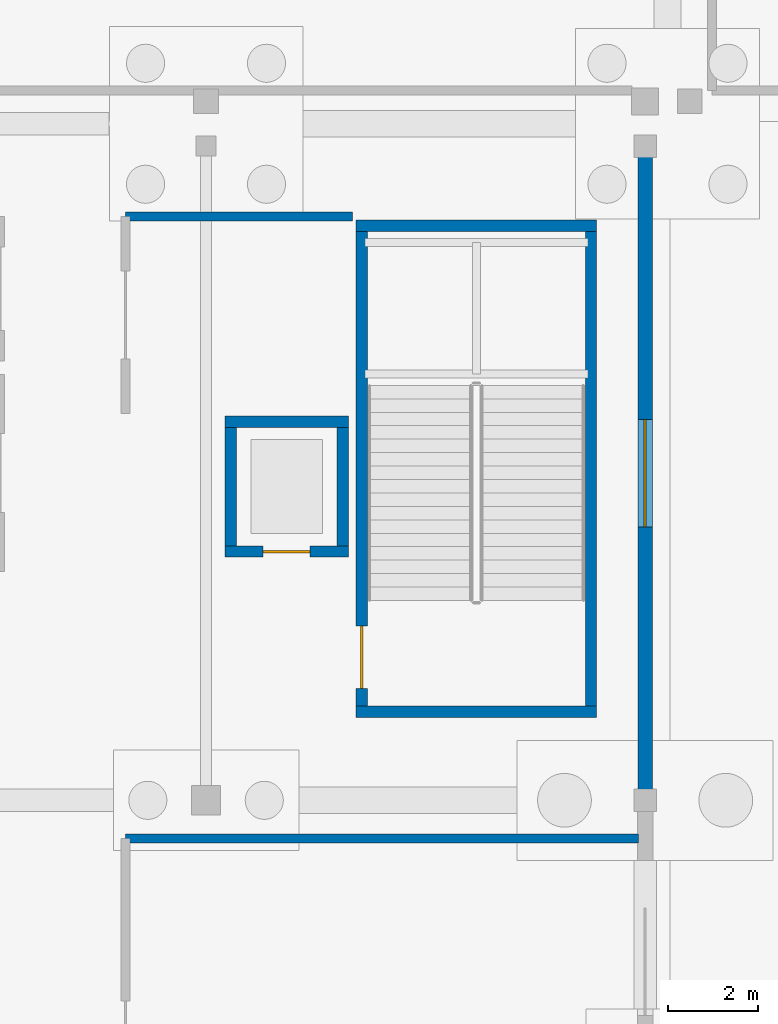
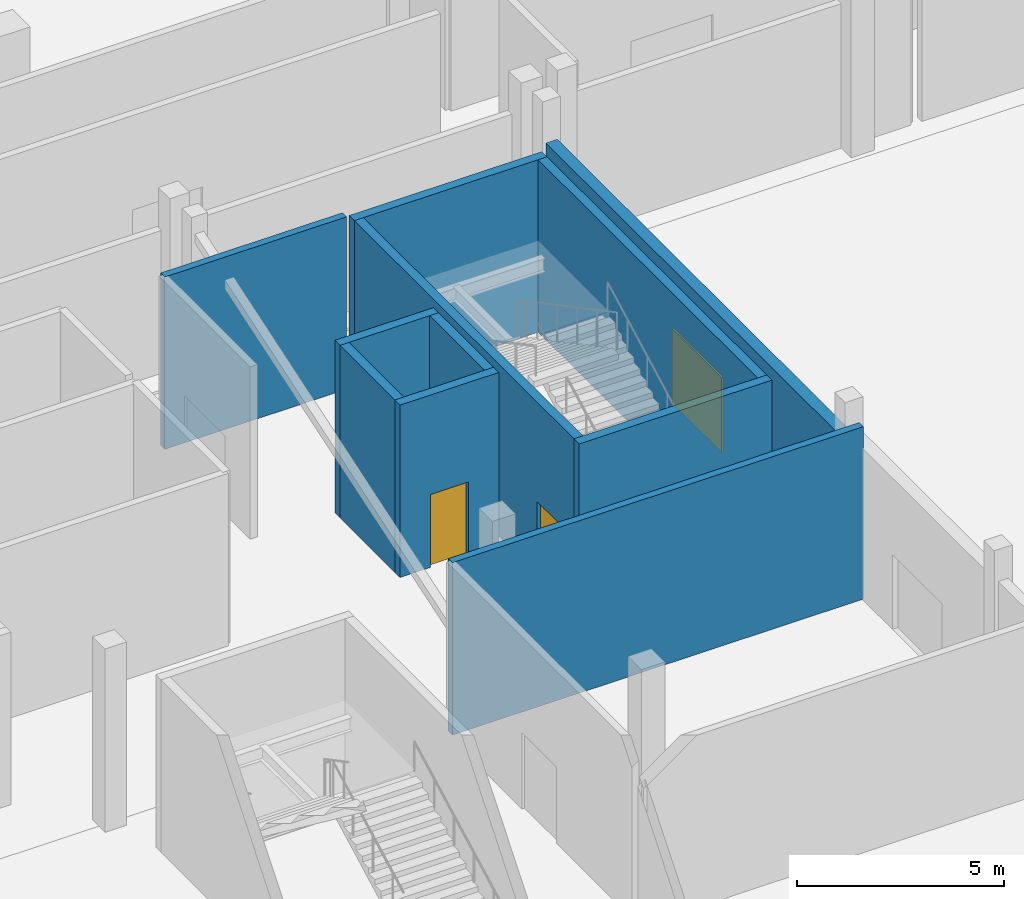
# One storey, part 45 of 89: 11 walls, 3 doors, 3 openings.
"""IFC4 building model written with IfcOpenShell, lengths in metres."""

from ifc_helpers import new_model, si_unit, direction, frame, frame_2d, origin, place, context, subcontext, project, spatial, rectangle, extrude, material, layer, layer_set, type_object, element, fill, save


model = new_model("IFC4")

# Units and contexts
model_context = context("Model", 3, precision=1e-05, world=origin(), true_north=direction((0.0, 1.0)))
body_context = subcontext(model_context, "Body", "Model", "MODEL_VIEW")
ifc_project = project(units=[si_unit("LENGTHUNIT", "METRE"), si_unit("AREAUNIT", "SQUARE_METRE"), si_unit("VOLUMEUNIT", "CUBIC_METRE"), si_unit("PLANEANGLEUNIT", "RADIAN"), si_unit("MASSUNIT", "GRAM", prefix="KILO")], contexts=[model_context])

# Site, building, storey
site_placement = place(None, origin())
site = spatial("IfcSite", under=ifc_project, at=site_placement, CompositionType="ELEMENT")
building_placement = place(site_placement, origin())
building = spatial("IfcBuilding", under=site, at=building_placement, Name="Koshinbarg Plaza Stadium", CompositionType="ELEMENT")
storey_placement = place(building_placement, origin())
storey = spatial("IfcBuildingStorey", under=building, at=storey_placement, Name="L00", CompositionType="ELEMENT", Elevation=0.0)

# Walls
ifc_material_1 = material(Name="Concrete C40/50", Category="concrete")
ifc_layer_1 = layer(ifc_material_1, 0.25)
ifc_layer_set_1 = layer_set([ifc_layer_1], Name="Concrete C40/50")
wall_type_1 = type_object("IfcWallType", Name="WL-CORE-250", PredefinedType="SHEAR", material=ifc_layer_set_1)
for number, where, z_axis, x_axis, name in (
    (1, (211.949951171875, 113.875, 0.0), (0.0, 0.0, 1.0), (1.0, 0.0, 0.0), "L00 core stair shear wall C10-near IWL-L00-0234"),
    (2, (217.320068359375, 124.72509765625, 0.0), (0.0, 0.0, 1.0), (-1.0, 0.0, 0.0), "L00 core stair shear wall C10-far IWL-L00-0235"),
):
    element("IfcWall", number, at=place(storey_placement, frame(where, z_axis=z_axis, x_axis=x_axis)), inside=storey, type_object=wall_type_1, Name=name, PredefinedType="SHEAR", context=body_context, shape_type="SweptSolid", body=[
        extrude(rectangle(XDim=5.3701171875, YDim=0.25, at=frame_2d((2.68505859375, 0.0))), origin(), (0.0, 0.0, 1.0), 5.080078125),
    ])

# Wall, opening, door
wall_1_placement = place(storey_placement, frame((212.074951171875, 113.875, 0.0), z_axis=(0.0, 0.0, 1.0), x_axis=(0.0, 1.0, 0.0)))
wall_1 = element("IfcWall", 3, at=wall_1_placement, inside=storey, type_object=wall_type_1, Name="L00 core stair shear wall C10-left IWL-L00-0236", PredefinedType="SHEAR", context=body_context, shape_type="SweptSolid", body=[
    extrude(rectangle(XDim=10.85009765625, YDim=0.25, at=frame_2d((5.425048828125, 0.0))), origin(), (0.0, 0.0, 1.0), 5.080078125),
])
opening_1_placement = place(wall_1_placement, frame((0.52001953125, 0.0, 0.0)))
opening_1 = element("IfcOpeningElement", 4, at=opening_1_placement, cuts=wall_1, Name="Opening D-0121", PredefinedType="OPENING", context=body_context, shape_type="SweptSolid", body=[
    extrude(rectangle(XDim=1.39990234375, YDim=2.14990234375, at=frame_2d((0.699951171875, 1.074951171875))), frame((0.0, 0.135009765625, 0.0), z_axis=(0.0, -1.0, 0.0), x_axis=(1.0, 0.0, 0.0)), (0.0, 0.0, 1.0), 0.27001953125),
])
ifc_material_2 = material(Name="Painted galvanized steel fire door", Category="steel")
door_type_1 = type_object("IfcDoorType", Name="DR-STAIR-1400", OperationType="NOTDEFINED", PredefinedType="DOOR", material=ifc_material_2)
door_1_placement = place(opening_1_placement, origin())
door_1 = element("IfcDoor", 5, at=door_1_placement, inside=storey, type_object=door_type_1, Name="L00 exit stair door C10", OperationType="SINGLE_SWING_LEFT", OverallHeight=2.14990234375, OverallWidth=1.39990234375, PredefinedType="DOOR", context=body_context, shape_type="SweptSolid", body=[
    extrude(rectangle(XDim=1.39990234375, YDim=2.14990234375, at=frame_2d((0.699951171875, 1.074951171875))), frame((0.0, 0.02490234375, 0.0), z_axis=(0.0, -1.0, 0.0), x_axis=(1.0, 0.0, 0.0)), (0.0, 0.0, 1.0), 0.050048828125),
])
fill(opening_1, door_1)

# Wall
wall_2_placement = place(storey_placement, frame((217.195068359375, 113.875, 0.0), z_axis=(0.0, 0.0, 1.0), x_axis=(0.0, 1.0, 0.0)))
element("IfcWall", 6, at=wall_2_placement, inside=storey, type_object=wall_type_1, Name="L00 core stair shear wall C10-right IWL-L00-0237", PredefinedType="SHEAR", context=body_context, shape_type="SweptSolid", body=[
    extrude(rectangle(XDim=10.85009765625, YDim=0.25, at=frame_2d((5.425048828125, 0.0))), origin(), (0.0, 0.0, 1.0), 5.080078125),
])

# Wall, opening, door
wall_3_placement = place(storey_placement, frame((209.02490234375, 117.449951171875, 0.0), z_axis=(0.0, 0.0, 1.0), x_axis=(1.0, 0.0, 0.0)))
wall_3 = element("IfcWall", 7, at=wall_3_placement, inside=storey, type_object=wall_type_1, Name="L00 lift shaft shear wall LP06-S IWL-L00-0934", PredefinedType="SHEAR", context=body_context, shape_type="SweptSolid", body=[
    extrude(rectangle(XDim=2.75, YDim=0.25, at=frame_2d((1.375, 0.0))), origin(), (0.0, 0.0, 1.0), 5.080078125),
])
opening_2_placement = place(wall_3_placement, frame((0.85009765625, 0.0, 0.0)))
opening_2 = element("IfcOpeningElement", 8, at=opening_2_placement, cuts=wall_3, Name="Opening D-0303", PredefinedType="OPENING", context=body_context, shape_type="SweptSolid", body=[
    extrude(rectangle(XDim=1.050048828125, YDim=2.14990234375, at=frame_2d((0.52490234375, 1.074951171875))), frame((0.0, 0.135009765625, 0.0), z_axis=(0.0, -1.0, 0.0), x_axis=(1.0, 0.0, 0.0)), (0.0, 0.0, 1.0), 0.27001953125),
])
ifc_material_3 = material(Name="Brushed stainless steel sliding lift landing door", Category="steel")
door_type_2 = type_object("IfcDoorType", Name="DR-LIFT-1050", OperationType="NOTDEFINED", PredefinedType="DOOR", material=ifc_material_3)
door_2_placement = place(opening_2_placement, origin())
door_2 = element("IfcDoor", 9, at=door_2_placement, inside=storey, type_object=door_type_2, Name="L00 lift landing door LP06", OperationType="SLIDING_TO_LEFT", OverallHeight=2.14990234375, OverallWidth=1.050048828125, PredefinedType="DOOR", context=body_context, shape_type="SweptSolid", body=[
    extrude(rectangle(XDim=1.050048828125, YDim=2.14990234375, at=frame_2d((0.52490234375, 1.074951171875))), frame((0.0, 0.02490234375, 0.0), z_axis=(0.0, -1.0, 0.0), x_axis=(1.0, 0.0, 0.0)), (0.0, 0.0, 1.0), 0.050048828125),
])
fill(opening_2, door_2)

# Walls
wall_4_placement = place(storey_placement, frame((211.77490234375, 120.35009765625, 0.0), z_axis=(0.0, 0.0, 1.0), x_axis=(-1.0, 0.0, 0.0)))
element("IfcWall", 10, at=wall_4_placement, inside=storey, type_object=wall_type_1, Name="L00 lift shaft shear wall LP06-N IWL-L00-0935", PredefinedType="SHEAR", context=body_context, shape_type="SweptSolid", body=[
    extrude(rectangle(XDim=2.75, YDim=0.25, at=frame_2d((1.375, 0.0))), origin(), (0.0, 0.0, 1.0), 5.080078125),
])
for number, where, z_axis, x_axis, name in (
    (11, (209.14990234375, 120.35009765625, 0.0), (0.0, 0.0, 1.0), (0.0, -1.0, 0.0), "L00 lift shaft shear wall LP06-W IWL-L00-0936"),
    (12, (211.64990234375, 117.449951171875, 0.0), (0.0, 0.0, 1.0), (0.0, 1.0, 0.0), "L00 lift shaft shear wall LP06-E IWL-L00-0937"),
):
    element("IfcWall", number, at=place(storey_placement, frame(where, z_axis=z_axis, x_axis=x_axis)), inside=storey, type_object=wall_type_1, Name=name, PredefinedType="SHEAR", context=body_context, shape_type="SweptSolid", body=[
        extrude(rectangle(XDim=2.900146484375, YDim=0.25, at=frame_2d((1.4501953125, 0.0))), origin(), (0.0, 0.0, 1.0), 5.080078125),
    ])

# Wall, opening, door
ifc_material_4 = material(Name="Ultramarine-blue pigmented mineral plaster facade wall", Category="masonry")
ifc_layer_2 = layer(ifc_material_4, 0.320068359375)
ifc_layer_set_2 = layer_set([ifc_layer_2], Name="Ultramarine-blue pigmented mineral plaster facade wall")
wall_type_2 = type_object("IfcWallType", Name="WL-EXT-320", PredefinedType="SOLIDWALL", material=ifc_layer_set_2)
wall_5_placement = place(storey_placement, frame((218.39990234375, 126.2548828125, 0.0), z_axis=(0.0, 0.0, 1.0), x_axis=(0.0, -1.0, 0.0)))
wall_5 = element("IfcWall", 13, at=wall_5_placement, inside=storey, type_object=wall_type_2, Name="L00 exterior envelope wall EWL-L00-0038", PredefinedType="SOLIDWALL", context=body_context, shape_type="SweptSolid", body=[
    extrude(rectangle(XDim=14.10986328125, YDim=0.320068359375, at=frame_2d((7.054931640625, 0.0))), origin(), (0.0, 0.0, 1.0), 4.159912109375),
])
opening_3_placement = place(wall_5_placement, frame((5.85498046875, 0.0, 0.0)))
opening_3 = element("IfcOpeningElement", 14, at=opening_3_placement, cuts=wall_5, Name="Opening D-0039", PredefinedType="OPENING", context=body_context, shape_type="SweptSolid", body=[
    extrude(rectangle(XDim=2.39990234375, YDim=2.199951171875, at=frame_2d((1.199951171875, 1.10009765625))), frame((0.0, 0.169921875, 0.0), z_axis=(0.0, -1.0, 0.0), x_axis=(1.0, 0.0, 0.0)), (0.0, 0.0, 1.0), 0.340087890625),
])
ifc_material_5 = material(Name="Anodised aluminium thermally broken exit door", Category="aluminium")
door_type_3 = type_object("IfcDoorType", Name="DR-EXIT-2400", OperationType="NOTDEFINED", PredefinedType="DOOR", material=ifc_material_5)
door_3_placement = place(opening_3_placement, origin())
door_3 = element("IfcDoor", 15, at=door_3_placement, inside=storey, type_object=door_type_3, Name="Main exit E38", OperationType="DOUBLE_DOOR_SINGLE_SWING", OverallHeight=2.199951171875, OverallWidth=2.39990234375, PredefinedType="DOOR", context=body_context, shape_type="SweptSolid", body=[
    extrude(rectangle(XDim=2.39990234375, YDim=2.199951171875, at=frame_2d((1.199951171875, 1.10009765625))), frame((0.0, 0.02490234375, 0.0), z_axis=(0.0, -1.0, 0.0), x_axis=(1.0, 0.0, 0.0)), (0.0, 0.0, 1.0), 0.050048828125),
])
fill(opening_3, door_3)

# Walls
ifc_material_6 = material(Name="Autoclaved aerated blockwork fire partition", Category="masonry")
ifc_layer_3 = layer(ifc_material_6, 0.199951171875)
ifc_layer_set_3 = layer_set([ifc_layer_3], Name="Autoclaved aerated blockwork fire partition")
wall_type_3 = type_object("IfcWallType", Name="WL-PART-200", PredefinedType="PARTITIONING", material=ifc_layer_set_3)
wall_6_placement = place(storey_placement, frame((218.2548828125, 111.050048828125, 0.0), z_axis=(0.0, 0.0, 1.0), x_axis=(-1.0, 0.0, 0.0)))
element("IfcWall", 16, at=wall_6_placement, inside=storey, type_object=wall_type_3, Name="L00 interior partition L00-108-north IWL-L00-1163", PredefinedType="PARTITIONING", context=body_context, shape_type="SweptSolid", body=[
    extrude(rectangle(XDim=11.454833984375, YDim=0.199951171875, at=frame_2d((5.7275390625, 0.0))), origin(), (0.0, 0.0, 1.0), 5.080078125),
])
wall_7_placement = place(storey_placement, frame((211.8701171875, 124.929931640625, 0.0), z_axis=(0.0, 0.0, 1.0), x_axis=(-1.0, 0.0, 0.0)))
element("IfcWall", 17, at=wall_7_placement, inside=storey, type_object=wall_type_3, Name="L00 interior partition L00-111-north IWL-L00-1170", PredefinedType="PARTITIONING", context=body_context, shape_type="SweptSolid", body=[
    extrude(rectangle(XDim=5.070068359375, YDim=0.199951171875, at=frame_2d((2.53515625, 0.0))), origin(), (0.0, 0.0, 1.0), 5.080078125),
])

save(model, "model.ifc")
